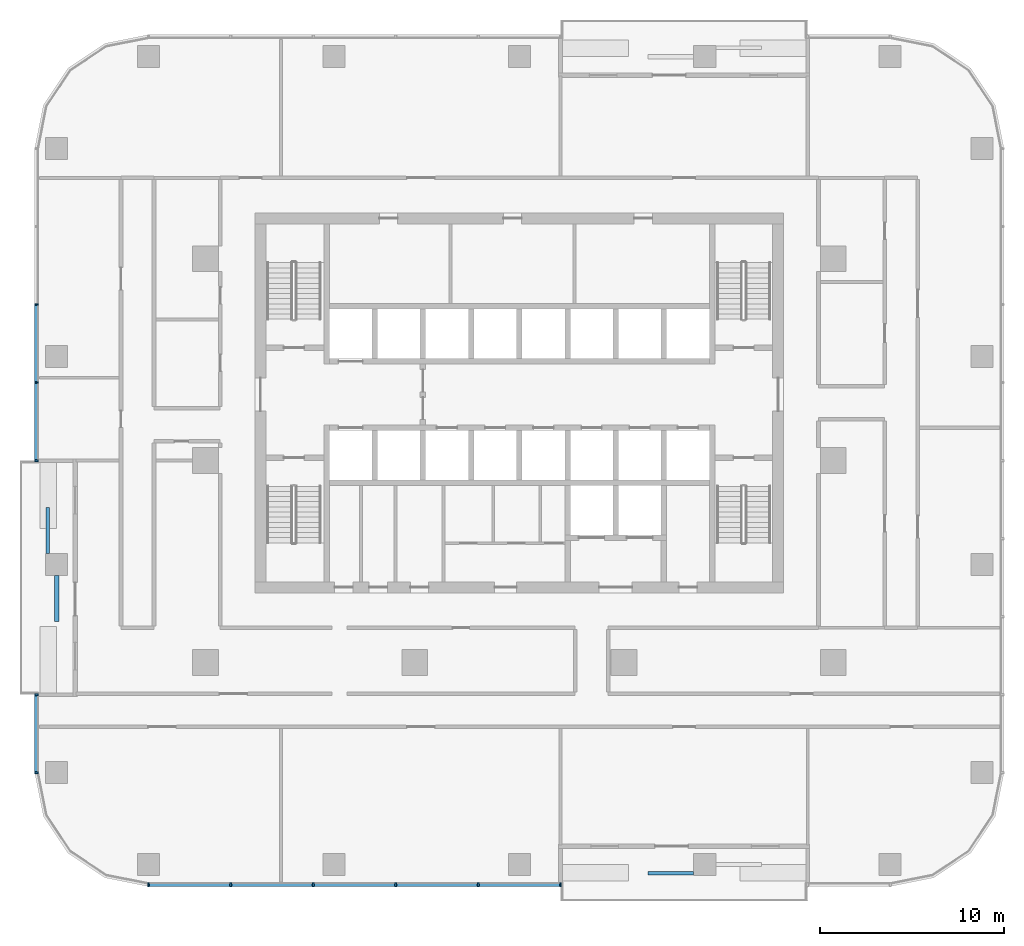
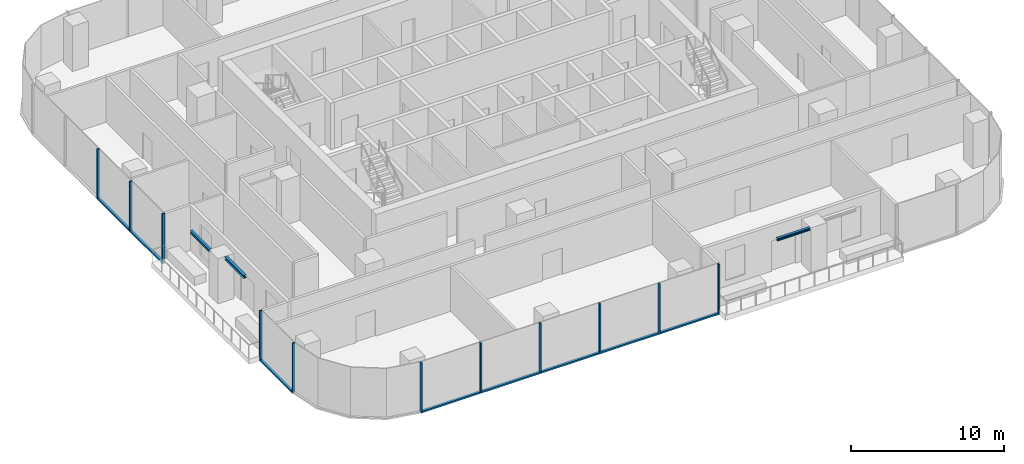
# One storey, part 2 of 14: 19 members, 3 beams, 3 elements without a shape of their own.
"""IFC4 building model written with IfcOpenShell, lengths in metres."""

from ifc_helpers import new_model, si_unit, direction, frame, origin, origin_2d, place, context, subcontext, project, spatial, rectangle, i_section, extrude, material, material_profile, profile_set, type_object, element, aggregate, save


model = new_model("IFC4")

# Units and contexts
model_context = context("Model", 3, precision=1e-05, world=origin(), true_north=direction((0.0, 1.0)))
body_context = subcontext(model_context, "Body", "Model", "MODEL_VIEW")
ifc_project = project(units=[si_unit("LENGTHUNIT", "METRE"), si_unit("AREAUNIT", "SQUARE_METRE"), si_unit("VOLUMEUNIT", "CUBIC_METRE"), si_unit("PLANEANGLEUNIT", "RADIAN"), si_unit("MASSUNIT", "GRAM", prefix="KILO")], contexts=[model_context])

# Site, building, storey
site_placement = place(None, origin())
site = spatial("IfcSite", under=ifc_project, at=site_placement, CompositionType="ELEMENT")
building_placement = place(site_placement, origin())
building = spatial("IfcBuilding", under=site, at=building_placement, Name="Mopane Tessera Tower", CompositionType="ELEMENT")
storey_placement = place(building_placement, frame((0.0, 0.0, 197.0)))
storey = spatial("IfcBuildingStorey", under=building, at=storey_placement, Name="L41", CompositionType="ELEMENT", Elevation=197.0)

# Curtain wall, members
ifc_material_1 = material(Name="Aluminium frame", Category="aluminium")
curtain_wall_type = type_object("IfcCurtainWallType", Name="Unitised curtain wall", PredefinedType="NOTDEFINED", material=ifc_material_1)
curtain_wall_1_placement = place(storey_placement, origin())
curtain_wall_1 = element("IfcCurtainWall", 1, at=curtain_wall_1_placement, inside=storey, type_object=curtain_wall_type, Name="e:cw:L41:S:0", PredefinedType="NOTDEFINED")
ifc_material_2 = material(Name="Aluminium frame", Category="aluminium")
ifc_material_profile_1 = material_profile(ifc_material_2, rectangle(XDim=0.10009765625, YDim=0.199951171875, at=origin_2d()))
ifc_profile_set_1 = profile_set([ifc_material_profile_1], Name="Aluminium frame")
member_type_1 = type_object("IfcMemberType", Name="Aluminium mullion 100 x 200", PredefinedType="MULLION", material=ifc_profile_set_1)
member_1_placement = place(storey_placement, frame((-20.199951171875, -23.10009765625, -0.39990234375), z_axis=(0.0, 0.0, 1.0), x_axis=(1.0, 0.0, 0.0)))
member_1 = element("IfcMember", 2, at=member_1_placement, type_object=member_type_1, Name="e:cw:L41:S:0:mu0", PredefinedType="MULLION", context=body_context, shape_type="SweptSolid", body=[
    extrude(rectangle(XDim=0.10009765625, YDim=0.199951171875, at=origin_2d()), origin(), (0.0, 0.0, 1.0), 4.0),
])
member_2_placement = place(storey_placement, frame((-15.711181640625, -23.10009765625, -0.39990234375), z_axis=(0.0, 0.0, 1.0), x_axis=(1.0, 0.0, 0.0)))
member_2 = element("IfcMember", 3, at=member_2_placement, type_object=member_type_1, Name="e:cw:L41:S:0:mu1", PredefinedType="MULLION", context=body_context, shape_type="SweptSolid", body=[
    extrude(rectangle(XDim=0.10009765625, YDim=0.199951171875, at=origin_2d()), origin(), (0.0, 0.0, 1.0), 4.0),
])
member_3_placement = place(storey_placement, frame((-11.22216796875, -23.10009765625, -0.39990234375), z_axis=(0.0, 0.0, 1.0), x_axis=(1.0, 0.0, 0.0)))
member_3 = element("IfcMember", 4, at=member_3_placement, type_object=member_type_1, Name="e:cw:L41:S:0:mu2", PredefinedType="MULLION", context=body_context, shape_type="SweptSolid", body=[
    extrude(rectangle(XDim=0.10009765625, YDim=0.199951171875, at=origin_2d()), origin(), (0.0, 0.0, 1.0), 4.0),
])
member_4_placement = place(storey_placement, frame((-6.7333984375, -23.10009765625, -0.39990234375), z_axis=(0.0, 0.0, 1.0), x_axis=(1.0, 0.0, 0.0)))
member_4 = element("IfcMember", 5, at=member_4_placement, type_object=member_type_1, Name="e:cw:L41:S:0:mu3", PredefinedType="MULLION", context=body_context, shape_type="SweptSolid", body=[
    extrude(rectangle(XDim=0.10009765625, YDim=0.199951171875, at=origin_2d()), origin(), (0.0, 0.0, 1.0), 4.0),
])
member_5_placement = place(storey_placement, frame((-2.244384765625, -23.10009765625, -0.39990234375), z_axis=(0.0, 0.0, 1.0), x_axis=(1.0, 0.0, 0.0)))
member_5 = element("IfcMember", 6, at=member_5_placement, type_object=member_type_1, Name="e:cw:L41:S:0:mu4", PredefinedType="MULLION", context=body_context, shape_type="SweptSolid", body=[
    extrude(rectangle(XDim=0.10009765625, YDim=0.199951171875, at=origin_2d()), origin(), (0.0, 0.0, 1.0), 4.0),
])
member_6_placement = place(storey_placement, frame((2.244384765625, -23.10009765625, -0.39990234375), z_axis=(0.0, 0.0, 1.0), x_axis=(1.0, 0.0, 0.0)))
member_6 = element("IfcMember", 7, at=member_6_placement, type_object=member_type_1, Name="e:cw:L41:S:0:mu5", PredefinedType="MULLION", context=body_context, shape_type="SweptSolid", body=[
    extrude(rectangle(XDim=0.10009765625, YDim=0.199951171875, at=origin_2d()), origin(), (0.0, 0.0, 1.0), 4.0),
])

curtain_wall_2_placement = place(storey_placement, origin())
curtain_wall_2 = element("IfcCurtainWall", 8, at=curtain_wall_2_placement, inside=storey, type_object=curtain_wall_type, Name="e:cw:L41:W:0", PredefinedType="NOTDEFINED")
member_7_placement = place(storey_placement, frame((-26.300048828125, 8.5, -0.39990234375), z_axis=(0.0, 0.0, 1.0), x_axis=(0.0, -1.0, 0.0)))
member_7 = element("IfcMember", 9, at=member_7_placement, type_object=member_type_1, Name="e:cw:L41:W:0:mu2", PredefinedType="MULLION", context=body_context, shape_type="SweptSolid", body=[
    extrude(rectangle(XDim=0.10009765625, YDim=0.199951171875, at=origin_2d()), origin(), (0.0, 0.0, 1.0), 4.0),
])
member_8_placement = place(storey_placement, frame((-26.300048828125, 4.25, -0.39990234375), z_axis=(0.0, 0.0, 1.0), x_axis=(0.0, -1.0, 0.0)))
member_8 = element("IfcMember", 10, at=member_8_placement, type_object=member_type_1, Name="e:cw:L41:W:0:mu3", PredefinedType="MULLION", context=body_context, shape_type="SweptSolid", body=[
    extrude(rectangle(XDim=0.10009765625, YDim=0.199951171875, at=origin_2d()), origin(), (0.0, 0.0, 1.0), 4.0),
])
member_9_placement = place(storey_placement, frame((-26.300048828125, 0.0, -0.39990234375), z_axis=(0.0, 0.0, 1.0), x_axis=(0.0, -1.0, 0.0)))
member_9 = element("IfcMember", 11, at=member_9_placement, type_object=member_type_1, Name="e:cw:L41:W:0:mu4", PredefinedType="MULLION", context=body_context, shape_type="SweptSolid", body=[
    extrude(rectangle(XDim=0.10009765625, YDim=0.199951171875, at=origin_2d()), origin(), (0.0, 0.0, 1.0), 4.0),
])

curtain_wall_3_placement = place(storey_placement, origin())
curtain_wall_3 = element("IfcCurtainWall", 12, at=curtain_wall_3_placement, inside=storey, type_object=curtain_wall_type, Name="e:cw:L41:W:7", PredefinedType="NOTDEFINED")
member_10_placement = place(storey_placement, frame((-26.300048828125, -12.75, -0.39990234375), z_axis=(0.0, 0.0, 1.0), x_axis=(0.0, -1.0, 0.0)))
member_10 = element("IfcMember", 13, at=member_10_placement, type_object=member_type_1, Name="e:cw:L41:W:7:mu7", PredefinedType="MULLION", context=body_context, shape_type="SweptSolid", body=[
    extrude(rectangle(XDim=0.10009765625, YDim=0.199951171875, at=origin_2d()), origin(), (0.0, 0.0, 1.0), 4.0),
])
member_11_placement = place(storey_placement, frame((-26.300048828125, -17.0, -0.39990234375), z_axis=(0.0, 0.0, 1.0), x_axis=(0.0, -1.0, 0.0)))
member_11 = element("IfcMember", 14, at=member_11_placement, type_object=member_type_1, Name="e:cw:L41:W:7:mu8", PredefinedType="MULLION", context=body_context, shape_type="SweptSolid", body=[
    extrude(rectangle(XDim=0.10009765625, YDim=0.199951171875, at=origin_2d()), origin(), (0.0, 0.0, 1.0), 4.0),
])

# Member
ifc_material_3 = material(Name="Aluminium frame", Category="aluminium")
ifc_material_profile_2 = material_profile(ifc_material_3, rectangle(XDim=0.199951171875, YDim=0.1201171875, at=origin_2d()))
ifc_profile_set_2 = profile_set([ifc_material_profile_2], Name="Aluminium frame")
member_type_2 = type_object("IfcMemberType", Name="Aluminium transom 200 x 120", PredefinedType="USERDEFINED", material=ifc_profile_set_2)
member_12_placement = place(storey_placement, frame((-20.14990234375, -23.10009765625, -0.340087890625), z_axis=(1.0, 0.0, 0.0), x_axis=(0.0, 1.0, 0.0)))
member_12 = element("IfcMember", 15, at=member_12_placement, type_object=member_type_2, Name="e:cw:L41:S:0:tr0", ObjectType="TRANSOM", PredefinedType="USERDEFINED", context=body_context, shape_type="SweptSolid", body=[
    extrude(rectangle(XDim=0.199951171875, YDim=0.1201171875, at=origin_2d()), origin(), (0.0, 0.0, 1.0), 4.388671875),
])

member_13_placement = place(storey_placement, frame((-15.6611328125, -23.10009765625, -0.340087890625), z_axis=(1.0, 0.0, 0.0), x_axis=(0.0, 1.0, 0.0)))
member_13 = element("IfcMember", 16, at=member_13_placement, type_object=member_type_2, Name="e:cw:L41:S:0:tr1", ObjectType="TRANSOM", PredefinedType="USERDEFINED", context=body_context, shape_type="SweptSolid", body=[
    extrude(rectangle(XDim=0.199951171875, YDim=0.1201171875, at=origin_2d()), origin(), (0.0, 0.0, 1.0), 4.388916015625),
])

member_14_placement = place(storey_placement, frame((-11.172119140625, -23.10009765625, -0.340087890625), z_axis=(1.0, 0.0, 0.0), x_axis=(0.0, 1.0, 0.0)))
member_14 = element("IfcMember", 17, at=member_14_placement, type_object=member_type_2, Name="e:cw:L41:S:0:tr2", ObjectType="TRANSOM", PredefinedType="USERDEFINED", context=body_context, shape_type="SweptSolid", body=[
    extrude(rectangle(XDim=0.199951171875, YDim=0.1201171875, at=origin_2d()), origin(), (0.0, 0.0, 1.0), 4.388671875),
])

member_15_placement = place(storey_placement, frame((-6.683349609375, -23.10009765625, -0.340087890625), z_axis=(1.0, 0.0, 0.0), x_axis=(0.0, 1.0, 0.0)))
member_15 = element("IfcMember", 18, at=member_15_placement, type_object=member_type_2, Name="e:cw:L41:S:0:tr3", ObjectType="TRANSOM", PredefinedType="USERDEFINED", context=body_context, shape_type="SweptSolid", body=[
    extrude(rectangle(XDim=0.199951171875, YDim=0.1201171875, at=origin_2d()), origin(), (0.0, 0.0, 1.0), 4.388916015625),
])

member_16_placement = place(storey_placement, frame((-2.1943359375, -23.10009765625, -0.340087890625), z_axis=(1.0, 0.0, 0.0), x_axis=(0.0, 1.0, 0.0)))
member_16 = element("IfcMember", 19, at=member_16_placement, type_object=member_type_2, Name="e:cw:L41:S:0:tr4", ObjectType="TRANSOM", PredefinedType="USERDEFINED", context=body_context, shape_type="SweptSolid", body=[
    extrude(rectangle(XDim=0.199951171875, YDim=0.1201171875, at=origin_2d()), origin(), (0.0, 0.0, 1.0), 4.388671875),
])

aggregate(curtain_wall_1, [member_1, member_2, member_3, member_4, member_5, member_6, member_12, member_13, member_14, member_15, member_16])

member_17_placement = place(storey_placement, frame((-26.300048828125, 8.449951171875, -0.340087890625), z_axis=(0.0, -1.0, 0.0), x_axis=(1.0, 0.0, 0.0)))
member_17 = element("IfcMember", 20, at=member_17_placement, type_object=member_type_2, Name="e:cw:L41:W:0:tr2", ObjectType="TRANSOM", PredefinedType="USERDEFINED", context=body_context, shape_type="SweptSolid", body=[
    extrude(rectangle(XDim=0.199951171875, YDim=0.1201171875, at=origin_2d()), origin(), (0.0, 0.0, 1.0), 4.14990234375),
])

member_18_placement = place(storey_placement, frame((-26.300048828125, 4.199951171875, -0.340087890625), z_axis=(0.0, -1.0, 0.0), x_axis=(1.0, 0.0, 0.0)))
member_18 = element("IfcMember", 21, at=member_18_placement, type_object=member_type_2, Name="e:cw:L41:W:0:tr3", ObjectType="TRANSOM", PredefinedType="USERDEFINED", context=body_context, shape_type="SweptSolid", body=[
    extrude(rectangle(XDim=0.199951171875, YDim=0.1201171875, at=origin_2d()), origin(), (0.0, 0.0, 1.0), 4.14990234375),
])

aggregate(curtain_wall_2, [member_7, member_8, member_9, member_17, member_18])

member_19_placement = place(storey_placement, frame((-26.300048828125, -12.800048828125, -0.340087890625), z_axis=(0.0, -1.0, 0.0), x_axis=(1.0, 0.0, 0.0)))
member_19 = element("IfcMember", 22, at=member_19_placement, type_object=member_type_2, Name="e:cw:L41:W:7:tr7", ObjectType="TRANSOM", PredefinedType="USERDEFINED", context=body_context, shape_type="SweptSolid", body=[
    extrude(rectangle(XDim=0.199951171875, YDim=0.1201171875, at=origin_2d()), origin(), (0.0, 0.0, 1.0), 4.14990234375),
])

aggregate(curtain_wall_3, [member_10, member_11, member_19])

# Beams
ifc_material_4 = material(Name="Structural steel S460", Category="steel")
ifc_material_profile_3 = material_profile(ifc_material_4, i_section(OverallWidth=0.239990234375, OverallDepth=0.239990234375, WebThickness=0.010009765625, FlangeThickness=0.01708984375, FilletRadius=0.02099609375, at=origin_2d()))
ifc_profile_set_3 = profile_set([ifc_material_profile_3], Name="Structural steel S460")
beam_type_1 = type_object("IfcBeamType", Name="Terrace spandrel beam HE 240 B", PredefinedType="SPANDREL", material=ifc_profile_set_3)
beam_placement = place(storey_placement, frame((-25.199951171875, -6.269775390625, 3.47998046875), z_axis=(0.0, -1.0, 0.0), x_axis=(1.0, 0.0, 0.0)))
element("IfcBeam", 23, at=beam_placement, inside=storey, type_object=beam_type_1, Name="Terrace spandrel beam N1 L42", PredefinedType="SPANDREL", context=body_context, shape_type="SweptSolid", body=[
    extrude(i_section(OverallWidth=0.239990234375, OverallDepth=0.239990234375, WebThickness=0.010009765625, FlangeThickness=0.01708984375, FilletRadius=0.02099609375, at=origin_2d()), origin(), (0.0, 0.0, 1.0), 2.5),
])
ifc_material_5 = material(Name="Structural steel S460", Category="steel")
ifc_material_profile_4 = material_profile(ifc_material_5, i_section(OverallWidth=0.199951171875, OverallDepth=0.199951171875, WebThickness=0.009033203125, FlangeThickness=0.014892578125, FilletRadius=0.01806640625, at=origin_2d()))
ifc_profile_set_4 = profile_set([ifc_material_profile_4], Name="Structural steel S460")
beam_type_2 = type_object("IfcBeamType", Name="Terrace trimmer beam HE 200 B", PredefinedType="BEAM", material=ifc_profile_set_4)
for number, where, z_axis, x_axis, name in (
    (24, (-25.679931640625, -5.063720703125, 3.5), (0.0, 1.0, 0.0), (-1.0, 0.0, 0.0), "Terrace trimmer beam N1 L42"),
    (25, (9.4970703125, -22.47998046875, 3.5), (-1.0, 0.0, 0.0), (0.0, -1.0, 0.0), "Terrace trimmer beam N2 L42"),
):
    element("IfcBeam", number, at=place(storey_placement, frame(where, z_axis=z_axis, x_axis=x_axis)), inside=storey, type_object=beam_type_2, Name=name, PredefinedType="BEAM", context=body_context, shape_type="SweptSolid", body=[
        extrude(i_section(OverallWidth=0.199951171875, OverallDepth=0.199951171875, WebThickness=0.009033203125, FlangeThickness=0.014892578125, FilletRadius=0.01806640625, at=origin_2d()), origin(), (0.0, 0.0, 1.0), 2.5),
    ])

save(model, "model.ifc")
